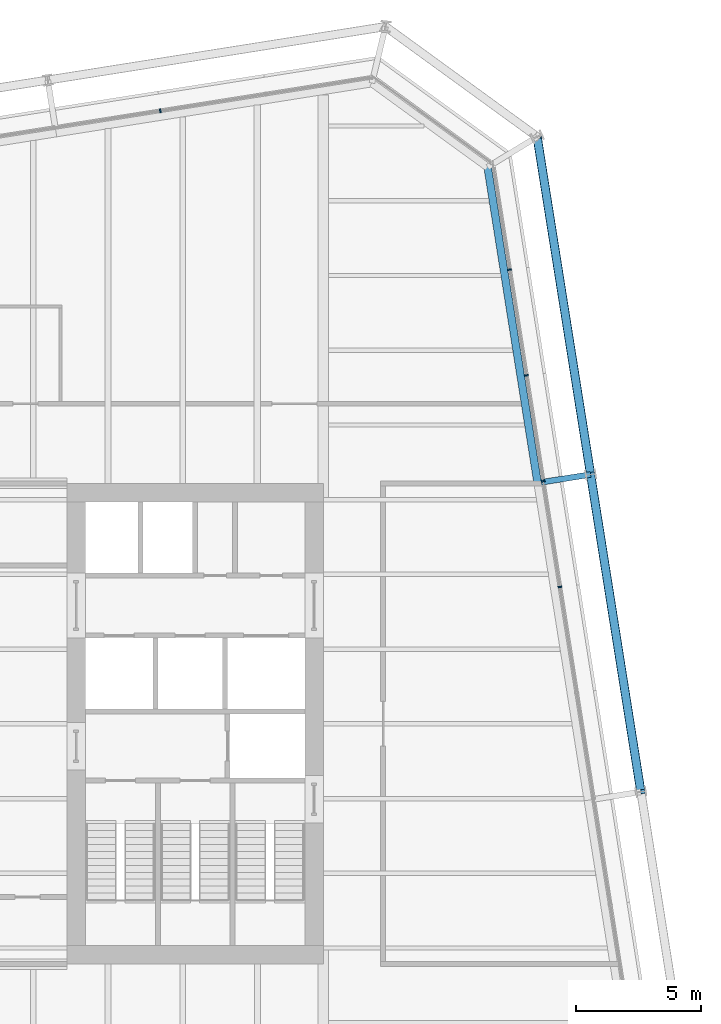
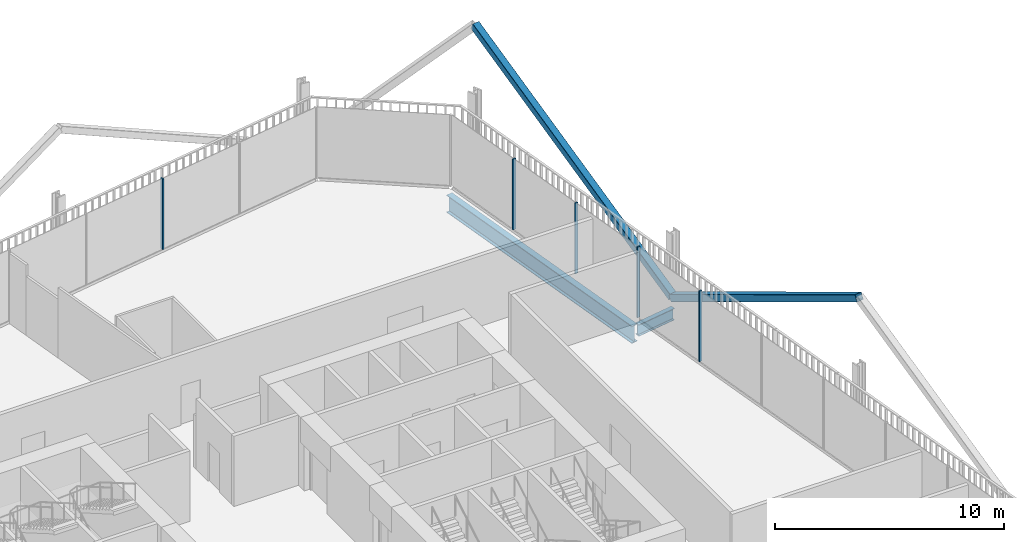
# One storey, part 15 of 22: 7 members, 2 beams, 2 elements without a shape of their own.
"""IFC4 building model written with IfcOpenShell, lengths in metres."""

from ifc_helpers import new_model, si_unit, direction, frame, origin, origin_2d, place, context, subcontext, project, spatial, rectangle, hollow_rectangle, i_section, extrude, material, layer, layer_set, material_profile, profile_set, type_object, element, aggregate, save


model = new_model("IFC4")

# Units and contexts
model_context = context("Model", 3, precision=1e-05, world=origin(), true_north=direction((0.0, 1.0)))
body_context = subcontext(model_context, "Body", "Model", "MODEL_VIEW")
ifc_project = project(units=[si_unit("LENGTHUNIT", "METRE"), si_unit("AREAUNIT", "SQUARE_METRE"), si_unit("VOLUMEUNIT", "CUBIC_METRE"), si_unit("PLANEANGLEUNIT", "RADIAN"), si_unit("MASSUNIT", "GRAM", prefix="KILO")], contexts=[model_context])

# Site, building, storey
site_placement = place(None, origin())
site = spatial("IfcSite", under=ifc_project, at=site_placement, CompositionType="ELEMENT")
building_placement = place(site_placement, origin())
building = spatial("IfcBuilding", under=site, at=building_placement, Name="Millrace Tower", CompositionType="ELEMENT")
storey_placement = place(building_placement, frame((0.0, 0.0, 137.300048828125)))
storey = spatial("IfcBuildingStorey", under=building, at=storey_placement, Name="L30", CompositionType="ELEMENT", Elevation=137.300048828125)

# Curtain wall, members
ifc_material_1 = material(Name="Aluminium and glass", Category="aluminium")
ifc_layer = layer(ifc_material_1, 0.14990234375)
ifc_layer_set = layer_set([ifc_layer], Name="Aluminium and glass")
curtain_wall_type = type_object("IfcCurtainWallType", Name="CW-1 office vision curtain wall", PredefinedType="NOTDEFINED", material=ifc_layer_set)
placement = place(storey_placement, origin())
curtain_wall_1 = element("IfcCurtainWall", 1, at=placement, inside=storey, type_object=curtain_wall_type, Name="Curtain wall C-F04 L30", PredefinedType="NOTDEFINED")
ifc_material_2 = material(Name="Aluminium", Category="aluminium")
ifc_material_profile_1 = material_profile(ifc_material_2, rectangle(XDim=0.06494140625, YDim=0.14990234375, at=origin_2d()))
ifc_profile_set_1 = profile_set([ifc_material_profile_1], Name="Aluminium")
member_type_1 = type_object("IfcMemberType", Name="CW-1 office vision curtain wall mullion", PredefinedType="MULLION", material=ifc_profile_set_1)
member_1_placement = place(storey_placement, frame((24.143310546875, 5.49365234375, 0.139892578125), z_axis=(0.0, 0.0, 1.0), x_axis=(-0.15643447328, 0.98768833929, 0.0)))
member_1 = element("IfcMember", 2, at=member_1_placement, type_object=member_type_1, Name="CW1 mullion C-F04.6", PredefinedType="MULLION", context=body_context, shape_type="SweptSolid", body=[
    extrude(rectangle(XDim=0.06494140625, YDim=0.14990234375, at=origin_2d()), origin(), (0.0, 0.0, 1.0), 3.760009765625),
])
member_2_placement = place(storey_placement, frame((23.470703125, 9.74072265625, 0.139892578125), z_axis=(0.0, 0.0, 1.0), x_axis=(-0.15643447328, 0.98768833929, 0.0)))
member_2 = element("IfcMember", 3, at=member_2_placement, type_object=member_type_1, Name="CW1 mullion C-F04.7", PredefinedType="MULLION", context=body_context, shape_type="SweptSolid", body=[
    extrude(rectangle(XDim=0.06494140625, YDim=0.14990234375, at=origin_2d()), origin(), (0.0, 0.0, 1.0), 3.760009765625),
])
member_3_placement = place(storey_placement, frame((22.798095703125, 13.98779296875, 0.139892578125), z_axis=(0.0, 0.0, 1.0), x_axis=(-0.15643447328, 0.98768833929, 0.0)))
member_3 = element("IfcMember", 4, at=member_3_placement, type_object=member_type_1, Name="CW1 mullion C-F04.8", PredefinedType="MULLION", context=body_context, shape_type="SweptSolid", body=[
    extrude(rectangle(XDim=0.06494140625, YDim=0.14990234375, at=origin_2d()), origin(), (0.0, 0.0, 1.0), 3.760009765625),
])
member_4_placement = place(storey_placement, frame((22.125244140625, 18.23486328125, 0.139892578125), z_axis=(0.0, 0.0, 1.0), x_axis=(-0.15643447328, 0.98768833929, 0.0)))
member_4 = element("IfcMember", 5, at=member_4_placement, type_object=member_type_1, Name="CW1 mullion C-F04.9", PredefinedType="MULLION", context=body_context, shape_type="SweptSolid", body=[
    extrude(rectangle(XDim=0.06494140625, YDim=0.14990234375, at=origin_2d()), origin(), (0.0, 0.0, 1.0), 3.760009765625),
])
aggregate(curtain_wall_1, [member_1, member_2, member_3, member_4])

# Curtain wall, member
curtain_wall_2 = element("IfcCurtainWall", 6, at=placement, inside=storey, type_object=curtain_wall_type, Name="Curtain wall C-F06 L30", PredefinedType="NOTDEFINED")
member_5_placement = place(storey_placement, frame((8.09765625, 24.611328125, 0.139892578125), z_axis=(0.0, 0.0, 1.0), x_axis=(-0.98768833929, -0.15643447328, 0.0)))
member_5 = element("IfcMember", 7, at=member_5_placement, type_object=member_type_1, Name="CW1 mullion C-F06.3", PredefinedType="MULLION", context=body_context, shape_type="SweptSolid", body=[
    extrude(rectangle(XDim=0.06494140625, YDim=0.14990234375, at=origin_2d()), origin(), (0.0, 0.0, 1.0), 3.760009765625),
])
aggregate(curtain_wall_2, [member_5])

# Members
ifc_material_3 = material(Name="Steel ASTM A500 Grade C", Category="steel")
ifc_material_profile_2 = material_profile(ifc_material_3, hollow_rectangle(XDim=0.355712890625, YDim=0.355712890625, WallThickness=0.015869140625, InnerFilletRadius=0.008056640625, OuterFilletRadius=0.02392578125, at=origin_2d()))
ifc_profile_set_2 = profile_set([ifc_material_profile_2], Name="Steel ASTM A500 Grade C")
member_type_2 = type_object("IfcMemberType", Name="Exoskeleton brace HSS14x14x5/8", PredefinedType="BRACE", material=ifc_profile_set_2)
member_6_placement = place(storey_placement, frame((25.376953125, 10.009765625, 0.39990234375), z_axis=(0.137499609887, -0.868113917345, 0.476940335673), x_axis=(0.987687659758, 0.156438763615, 0.0)))
element("IfcMember", 8, at=member_6_placement, inside=storey, type_object=member_type_2, Name="BRC-C-L30-07", PredefinedType="BRACE", context=body_context, shape_type="SweptSolid", body=[
    extrude(hollow_rectangle(XDim=0.355712890625, YDim=0.355712890625, WallThickness=0.015869140625, InnerFilletRadius=0.008056640625, OuterFilletRadius=0.02392578125, at=origin_2d()), origin(), (0.0, 0.0, 1.0), 14.677001953125),
])
member_7_placement = place(storey_placement, frame((25.376953125, 10.009765625, 0.39990234375), z_axis=(-0.139355372932, 0.879906554943, 0.454251620363), x_axis=(-0.987689751328, -0.156425557764, 0.0)))
element("IfcMember", 9, at=member_7_placement, inside=storey, type_object=member_type_2, Name="BRC-C-L30-08", PredefinedType="BRACE", context=body_context, shape_type="SweptSolid", body=[
    extrude(hollow_rectangle(XDim=0.355712890625, YDim=0.355712890625, WallThickness=0.015869140625, InnerFilletRadius=0.008056640625, OuterFilletRadius=0.02392578125, at=origin_2d()), origin(), (0.0, 0.0, 1.0), 15.409912109375),
])

# Beams
ifc_material_4 = material(Name="Steel ASTM A992 Grade 50", Category="steel")
ifc_material_profile_3 = material_profile(ifc_material_4, i_section(OverallWidth=0.23046875, OverallDepth=0.6171875, WebThickness=0.01318359375, FlangeThickness=0.022216796875, FilletRadius=0.012939453125, at=origin_2d()))
ifc_profile_set_3 = profile_set([ifc_material_profile_3], Name="Steel ASTM A992 Grade 50")
beam_type_1 = type_object("IfcBeamType", Name="Link beam W24x94", PredefinedType="BEAM", material=ifc_profile_set_3)
beam_1_placement = place(storey_placement, frame((23.401611328125, 9.69677734375, -0.46875), z_axis=(0.987678691416, 0.156495375404, 0.0), x_axis=(-0.156495375404, 0.987678691416, 0.0)))
element("IfcBeam", 10, at=beam_1_placement, inside=storey, type_object=beam_type_1, Name="LNK-C-L30-S1-10", PredefinedType="BEAM", context=body_context, shape_type="SweptSolid", body=[
    extrude(i_section(OverallWidth=0.23046875, OverallDepth=0.6171875, WebThickness=0.01318359375, FlangeThickness=0.022216796875, FilletRadius=0.012939453125, at=origin_2d()), origin(), (0.0, 0.0, 1.0), 2.0),
])
ifc_material_5 = material(Name="Steel ASTM A992 Grade 50", Category="steel")
ifc_material_profile_4 = material_profile(ifc_material_5, i_section(OverallWidth=0.307373046875, OverallDepth=0.927001953125, WebThickness=0.01953125, FlangeThickness=0.031982421875, FilletRadius=0.01904296875, at=origin_2d()))
ifc_profile_set_4 = profile_set([ifc_material_profile_4], Name="Steel ASTM A992 Grade 50")
beam_type_2 = type_object("IfcBeamType", Name="Ring beam medium span W36x194", PredefinedType="SPANDREL", material=ifc_profile_set_4)
beam_2_placement = place(storey_placement, frame((21.241943359375, 22.35107421875, -0.62353515625), z_axis=(0.156436246498, -0.987688058438, 0.0), x_axis=(0.987688058438, 0.156436246498, 0.0)))
element("IfcBeam", 11, at=beam_2_placement, inside=storey, type_object=beam_type_2, Name="RNG-C-L30-S1-09", PredefinedType="SPANDREL", context=body_context, shape_type="SweptSolid", body=[
    extrude(i_section(OverallWidth=0.307373046875, OverallDepth=0.927001953125, WebThickness=0.01953125, FlangeThickness=0.031982421875, FilletRadius=0.01904296875, at=origin_2d()), origin(), (0.0, 0.0, 1.0), 12.836181640625),
])

save(model, "model.ifc")
